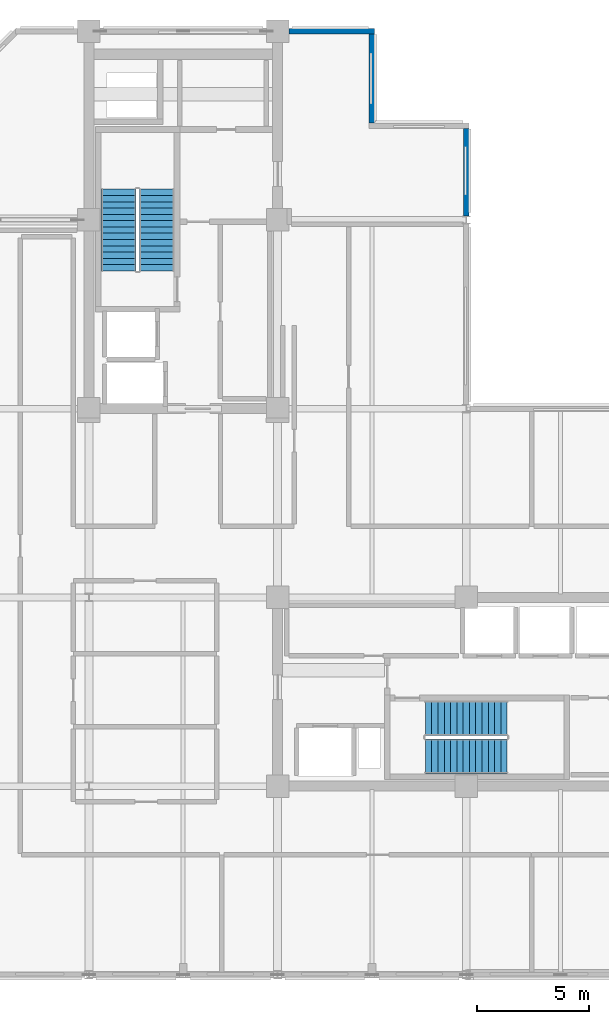
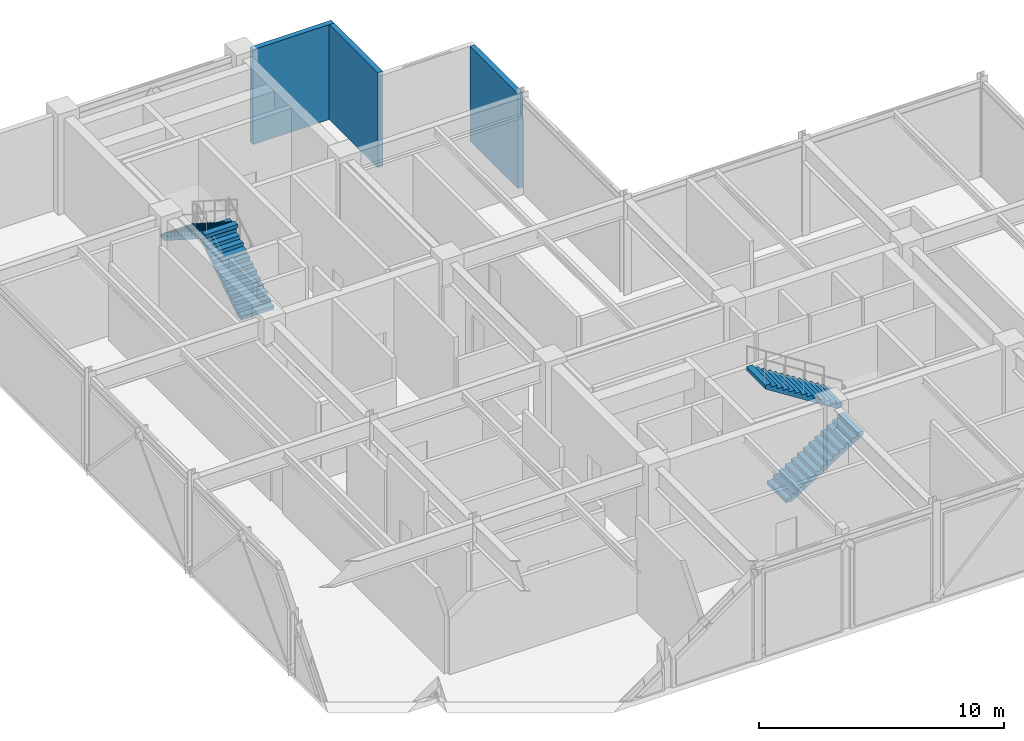
# One storey, part 7 of 10: 4 stair flights, 3 walls, 2 elements without a shape of their own.
"""IFC4 building model written with IfcOpenShell, lengths in metres."""

from ifc_helpers import new_model, si_unit, direction, frame, frame_2d, origin, place, context, subcontext, project, spatial, polyline, rectangle, outline, extrude, material, layer, layer_set, type_object, element, aggregate, save


model = new_model("IFC4")

# Units and contexts
model_context = context("Model", 3, precision=1e-05, world=origin(), true_north=direction((0.0, 1.0)))
body_context = subcontext(model_context, "Body", "Model", "MODEL_VIEW")
ifc_project = project(units=[si_unit("LENGTHUNIT", "METRE"), si_unit("AREAUNIT", "SQUARE_METRE"), si_unit("VOLUMEUNIT", "CUBIC_METRE"), si_unit("PLANEANGLEUNIT", "RADIAN"), si_unit("MASSUNIT", "GRAM", prefix="KILO")], contexts=[model_context])

# Site, building, storey
site_placement = place(None, origin())
site = spatial("IfcSite", under=ifc_project, at=site_placement, CompositionType="ELEMENT")
building_placement = place(site_placement, origin())
building = spatial("IfcBuilding", under=site, at=building_placement, Name="Nerrivon Quay Data Exchange", CompositionType="ELEMENT")
storey_placement = place(building_placement, frame((0.0, 0.0, 245.199951171875)))
storey = spatial("IfcBuildingStorey", under=building, at=storey_placement, Name="L58", CompositionType="ELEMENT", Elevation=245.199951171875)

# Walls
ifc_material_1 = material(Name="Architectural terracotta precast concrete N50 (50 MPa)", Category="masonry")
ifc_layer = layer(ifc_material_1, 0.239990234375)
ifc_layer_set = layer_set([ifc_layer], Name="Architectural terracotta precast concrete N50 (50 MPa)")
wall_type = type_object("IfcWallType", Name="EW-PREC-240", PredefinedType="STANDARD", material=ifc_layer_set)
wall_1_placement = place(storey_placement, frame((17.300048828125, 42.0, 0.0), z_axis=(0.0, 0.0, 1.0), x_axis=(1.0, 0.0, 0.0)))
element("IfcWall", 1, at=wall_1_placement, inside=storey, type_object=wall_type, Name="L58 Plant Enclosure Wall 19", PredefinedType="STANDARD", context=body_context, shape_type="SweptSolid", body=[
    extrude(rectangle(XDim=3.820068359375, YDim=0.239990234375, at=frame_2d((1.91015625, 0.0))), origin(), (0.0, 0.0, 1.0), 4.72509765625),
])
wall_2_placement = place(storey_placement, frame((21.0, 41.8798828125, 0.0), z_axis=(0.0, 0.0, 1.0), x_axis=(0.0, -1.0, 0.0)))
element("IfcWall", 2, at=wall_2_placement, inside=storey, type_object=wall_type, Name="L58 Plant Enclosure Wall 20", PredefinedType="STANDARD", context=body_context, shape_type="SweptSolid", body=[
    extrude(rectangle(XDim=3.9599609375, YDim=0.239990234375, at=frame_2d((1.97998046875, 0.0))), origin(), (0.0, 0.0, 1.0), 4.72509765625),
])
wall_3_placement = place(storey_placement, frame((25.199951171875, 37.679931640625, 0.0), z_axis=(0.0, 0.0, 1.0), x_axis=(0.0, -1.0, 0.0)))
element("IfcWall", 3, at=wall_3_placement, inside=storey, type_object=wall_type, Name="L58 Plant Enclosure Wall 22", PredefinedType="STANDARD", context=body_context, shape_type="SweptSolid", body=[
    extrude(rectangle(XDim=3.905029296875, YDim=0.239990234375, at=frame_2d((1.95263671875, 0.0))), origin(), (0.0, 0.0, 1.0), 4.72509765625),
])

# Stair, stair flights
ifc_material_2 = material(Name="Concrete N50 (50 MPa)", Category="concrete")
stair_type = type_object("IfcStairType", Name="STAIR-DOG-50", PredefinedType="HALF_TURN_STAIR", material=ifc_material_2)
stair_1_placement = place(storey_placement, origin())
stair_1 = element("IfcStair", 4, at=stair_1_placement, inside=storey, type_object=stair_type, Name="L58 West Core Fire Stair ST01", PredefinedType="HALF_TURN_STAIR")
stair_flight_type = type_object("IfcStairFlightType", Name="FLIGHT-DOG-50", PredefinedType="STRAIGHT", material=ifc_material_2)
stair_flight_1_placement = place(storey_placement, frame((11.425048828125, 31.330078125, 0.0), z_axis=(0.0, 0.0, 1.0), x_axis=(0.0, 1.0, 0.0)))
stair_flight_1 = element("IfcStairFlight", 5, at=stair_flight_1_placement, type_object=stair_flight_type, Name="ST01 flight 1", NumberOfRisers=14, NumberOfTreads=13, PredefinedType="STRAIGHT", RiserHeight=0.178571429, TreadLength=0.28, context=body_context, shape_type="SweptSolid", body=[
    extrude(outline(polyline([(0.0, 0.0), (0.0, 0.178466796875), (0.280029296875, 0.178466796875), (0.280029296875, 0.357177734375), (0.56005859375, 0.357177734375), (0.56005859375, 0.53564453125), (0.840087890625, 0.53564453125), (0.840087890625, 0.71435546875), (1.1201171875, 0.71435546875), (1.1201171875, 0.892822265625), (1.39990234375, 0.892822265625), (1.39990234375, 1.071533203125), (1.679931640625, 1.071533203125), (1.679931640625, 1.25), (1.9599609375, 1.25), (1.9599609375, 1.428466796875), (2.239990234375, 1.428466796875), (2.239990234375, 1.607177734375), (2.52001953125, 1.607177734375), (2.52001953125, 1.78564453125), (2.800048828125, 1.78564453125), (2.800048828125, 1.96435546875), (3.080078125, 1.96435546875), (3.080078125, 2.142822265625), (3.360107421875, 2.142822265625), (3.360107421875, 2.321533203125), (3.639892578125, 2.321533203125), (3.639892578125, 2.5), (3.639892578125, 2.1435546875), (0.27880859375, 0.0), (0.0, 0.0)])), frame((0.0, 0.77490234375, 0.0), z_axis=(0.0, -1.0, 0.0), x_axis=(1.0, 0.0, 0.0)), (0.0, 0.0, 1.0), 1.550048828125),
])
stair_flight_2_placement = place(storey_placement, frame((9.72509765625, 34.969970703125, 2.5), z_axis=(0.0, 0.0, 1.0), x_axis=(0.0, -1.0, 0.0)))
stair_flight_2 = element("IfcStairFlight", 6, at=stair_flight_2_placement, type_object=stair_flight_type, Name="ST01 flight 2", NumberOfRisers=14, NumberOfTreads=13, PredefinedType="STRAIGHT", RiserHeight=0.178571429, TreadLength=0.28, context=body_context, shape_type="SweptSolid", body=[
    extrude(outline(polyline([(0.0, 0.0), (0.0, 0.178466796875), (0.280029296875, 0.178466796875), (0.280029296875, 0.357177734375), (0.56005859375, 0.357177734375), (0.56005859375, 0.53564453125), (0.840087890625, 0.53564453125), (0.840087890625, 0.71435546875), (1.1201171875, 0.71435546875), (1.1201171875, 0.892822265625), (1.39990234375, 0.892822265625), (1.39990234375, 1.071533203125), (1.679931640625, 1.071533203125), (1.679931640625, 1.25), (1.9599609375, 1.25), (1.9599609375, 1.428466796875), (2.239990234375, 1.428466796875), (2.239990234375, 1.607177734375), (2.52001953125, 1.607177734375), (2.52001953125, 1.78564453125), (2.800048828125, 1.78564453125), (2.800048828125, 1.96435546875), (3.080078125, 1.96435546875), (3.080078125, 2.142822265625), (3.360107421875, 2.142822265625), (3.360107421875, 2.321533203125), (3.639892578125, 2.321533203125), (3.639892578125, 2.5), (3.639892578125, 2.1435546875), (0.27880859375, 0.0), (0.0, 0.0)])), frame((0.0, 0.77490234375, 0.0), z_axis=(0.0, -1.0, 0.0), x_axis=(1.0, 0.0, 0.0)), (0.0, 0.0, 1.0), 1.550048828125),
])
aggregate(stair_1, [stair_flight_1, stair_flight_2])

stair_2_placement = place(storey_placement, origin())
stair_2 = element("IfcStair", 7, at=stair_2_placement, inside=storey, type_object=stair_type, Name="L58 East Core Fire Stair ST02", PredefinedType="HALF_TURN_STAIR")
stair_flight_3_placement = place(storey_placement, frame((23.3798828125, 9.72509765625, 0.0), z_axis=(0.0, 0.0, 1.0), x_axis=(1.0, 0.0, 0.0)))
stair_flight_3 = element("IfcStairFlight", 8, at=stair_flight_3_placement, type_object=stair_flight_type, Name="ST02 flight 1", NumberOfRisers=14, NumberOfTreads=13, PredefinedType="STRAIGHT", RiserHeight=0.178571429, TreadLength=0.28, context=body_context, shape_type="SweptSolid", body=[
    extrude(outline(polyline([(0.0, 0.0), (0.0, 0.178466796875), (0.280029296875, 0.178466796875), (0.280029296875, 0.357177734375), (0.56005859375, 0.357177734375), (0.56005859375, 0.53564453125), (0.840087890625, 0.53564453125), (0.840087890625, 0.71435546875), (1.1201171875, 0.71435546875), (1.1201171875, 0.892822265625), (1.39990234375, 0.892822265625), (1.39990234375, 1.071533203125), (1.679931640625, 1.071533203125), (1.679931640625, 1.25), (1.9599609375, 1.25), (1.9599609375, 1.428466796875), (2.239990234375, 1.428466796875), (2.239990234375, 1.607177734375), (2.52001953125, 1.607177734375), (2.52001953125, 1.78564453125), (2.800048828125, 1.78564453125), (2.800048828125, 1.96435546875), (3.080078125, 1.96435546875), (3.080078125, 2.142822265625), (3.360107421875, 2.142822265625), (3.360107421875, 2.321533203125), (3.639892578125, 2.321533203125), (3.639892578125, 2.5), (3.639892578125, 2.1435546875), (0.27880859375, 0.0), (0.0, 0.0)])), frame((0.0, 0.77490234375, 0.0), z_axis=(0.0, -1.0, 0.0), x_axis=(1.0, 0.0, 0.0)), (0.0, 0.0, 1.0), 1.550048828125),
])
stair_flight_4_placement = place(storey_placement, frame((27.02001953125, 11.425048828125, 2.5), z_axis=(0.0, 0.0, 1.0), x_axis=(-1.0, 0.0, 0.0)))
stair_flight_4 = element("IfcStairFlight", 9, at=stair_flight_4_placement, type_object=stair_flight_type, Name="ST02 flight 2", NumberOfRisers=14, NumberOfTreads=13, PredefinedType="STRAIGHT", RiserHeight=0.178571429, TreadLength=0.28, context=body_context, shape_type="SweptSolid", body=[
    extrude(outline(polyline([(0.0, 0.0), (0.0, 0.178466796875), (0.280029296875, 0.178466796875), (0.280029296875, 0.357177734375), (0.56005859375, 0.357177734375), (0.56005859375, 0.53564453125), (0.840087890625, 0.53564453125), (0.840087890625, 0.71435546875), (1.1201171875, 0.71435546875), (1.1201171875, 0.892822265625), (1.39990234375, 0.892822265625), (1.39990234375, 1.071533203125), (1.679931640625, 1.071533203125), (1.679931640625, 1.25), (1.9599609375, 1.25), (1.9599609375, 1.428466796875), (2.239990234375, 1.428466796875), (2.239990234375, 1.607177734375), (2.52001953125, 1.607177734375), (2.52001953125, 1.78564453125), (2.800048828125, 1.78564453125), (2.800048828125, 1.96435546875), (3.080078125, 1.96435546875), (3.080078125, 2.142822265625), (3.360107421875, 2.142822265625), (3.360107421875, 2.321533203125), (3.639892578125, 2.321533203125), (3.639892578125, 2.5), (3.639892578125, 2.1435546875), (0.27880859375, 0.0), (0.0, 0.0)])), frame((0.0, 0.77490234375, 0.0), z_axis=(0.0, -1.0, 0.0), x_axis=(1.0, 0.0, 0.0)), (0.0, 0.0, 1.0), 1.550048828125),
])
aggregate(stair_2, [stair_flight_3, stair_flight_4])

save(model, "model.ifc")
